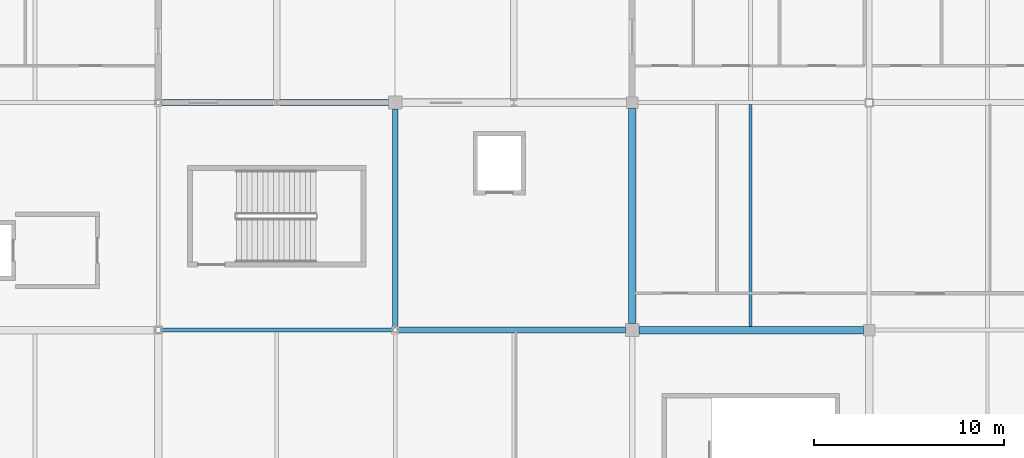
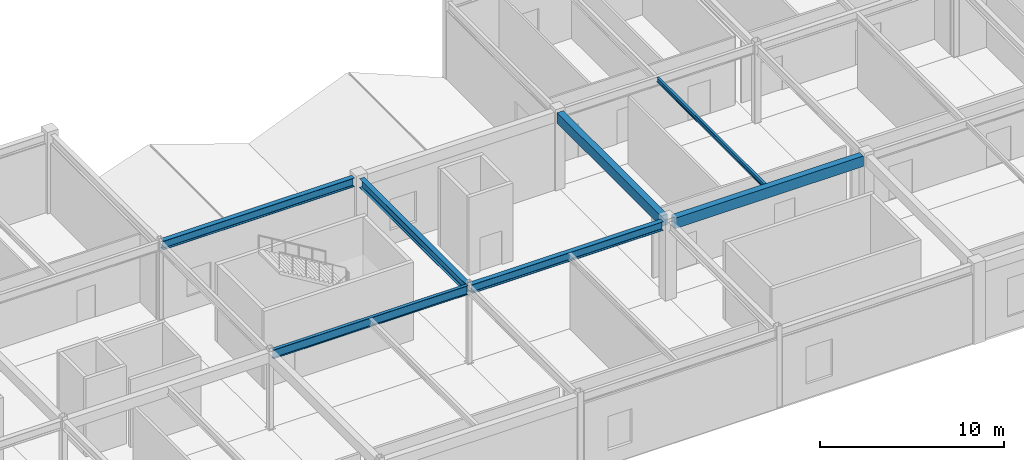
# One storey, part 55 of 105: 7 beams.
"""IFC4 building model written with IfcOpenShell, lengths in metres."""

from ifc_helpers import new_model, si_unit, direction, frame, origin, origin_2d, place, context, subcontext, project, spatial, rectangle, i_section, extrude, material, material_profile, profile_set, type_object, element, save


model = new_model("IFC4")

# Units and contexts
model_context = context("Model", 3, precision=1e-05, world=origin(), true_north=direction((0.0, 1.0)))
body_context = subcontext(model_context, "Body", "Model", "MODEL_VIEW")
ifc_project = project(units=[si_unit("LENGTHUNIT", "METRE"), si_unit("AREAUNIT", "SQUARE_METRE"), si_unit("VOLUMEUNIT", "CUBIC_METRE"), si_unit("PLANEANGLEUNIT", "RADIAN"), si_unit("MASSUNIT", "GRAM", prefix="KILO")], contexts=[model_context])

# Site, building, storey
site_placement = place(None, origin())
site = spatial("IfcSite", under=ifc_project, at=site_placement, CompositionType="ELEMENT")
building_placement = place(site_placement, origin())
building = spatial("IfcBuilding", under=site, at=building_placement, Name="Kazenohara Klinker Stadium", CompositionType="ELEMENT")
storey_placement = place(building_placement, frame((0.0, 0.0, 20.39990234375)))
storey = spatial("IfcBuildingStorey", under=building, at=storey_placement, Name="L04", CompositionType="ELEMENT", Elevation=20.39990234375)

# Beams
ifc_material_1 = material(Name="Steel S355", Category="steel")
ifc_material_profile_1 = material_profile(ifc_material_1, i_section(OverallWidth=0.14990234375, OverallDepth=0.300048828125, WebThickness=0.006591796875, FlangeThickness=0.009033203125, FilletRadius=0.012939453125, at=origin_2d()), Name="H-300x150x6.5x9")
ifc_profile_set_1 = profile_set([ifc_material_profile_1], Name="Steel S355")
beam_type_1 = type_object("IfcBeamType", Name="BM-JST05", PredefinedType="JOIST", material=ifc_profile_set_1)
beam_1_placement = place(storey_placement, frame((156.25, 144.199951171875, 5.030029296875), z_axis=(0.0, 1.0, 0.0), x_axis=(-1.0, 0.0, 0.0)))
element("IfcBeam", 1, at=beam_1_placement, inside=storey, type_object=beam_type_1, Name="Secondary floor joist SJ05 L04 13/N", PredefinedType="JOIST", context=body_context, shape_type="SweptSolid", body=[
    extrude(i_section(OverallWidth=0.14990234375, OverallDepth=0.300048828125, WebThickness=0.006591796875, FlangeThickness=0.009033203125, FilletRadius=0.012939453125, at=origin_2d()), origin(), (0.0, 0.0, 1.0), 11.699951171875),
])
ifc_material_2 = material(Name="Concrete C40/50", Category="concrete")
ifc_material_profile_2 = material_profile(ifc_material_2, rectangle(XDim=0.39990234375, YDim=0.699951171875, at=origin_2d()), Name="RC-BM-400x700")
ifc_profile_set_2 = profile_set([ifc_material_profile_2], Name="Concrete C40/50")
beam_type_2 = type_object("IfcBeamType", Name="BM-RC04", PredefinedType="BEAM", material=ifc_profile_set_2)
beam_2_placement = place(storey_placement, frame((150.35009765625, 144.0, 4.830078125), z_axis=(1.0, 0.0, 0.0), x_axis=(0.0, 1.0, 0.0)))
element("IfcBeam", 2, at=beam_2_placement, inside=storey, type_object=beam_type_2, Name="Primary girder BG04 L04 13-14/N", PredefinedType="BEAM", context=body_context, shape_type="SweptSolid", body=[
    extrude(rectangle(XDim=0.39990234375, YDim=0.699951171875, at=origin_2d()), origin(), (0.0, 0.0, 1.0), 11.849853515625),
])
beam_3_placement = place(storey_placement, frame((150.0, 144.35009765625, 4.830078125), z_axis=(0.0, 1.0, 0.0), x_axis=(-1.0, 0.0, 0.0)))
element("IfcBeam", 3, at=beam_3_placement, inside=storey, type_object=beam_type_2, Name="Primary girder BG04 L04 13/N-P", PredefinedType="BEAM", context=body_context, shape_type="SweptSolid", body=[
    extrude(rectangle(XDim=0.39990234375, YDim=0.699951171875, at=origin_2d()), origin(), (0.0, 0.0, 1.0), 11.349853515625),
])
ifc_material_profile_3 = material_profile(ifc_material_1, i_section(OverallWidth=0.199951171875, OverallDepth=0.60009765625, WebThickness=0.010986328125, FlangeThickness=0.01708984375, FilletRadius=0.012939453125, at=origin_2d()), Name="H-600x200x11x17")
ifc_profile_set_3 = profile_set([ifc_material_profile_3], Name="Steel S355")
beam_type_3 = type_object("IfcBeamType", Name="BM-ST04", PredefinedType="BEAM", material=ifc_profile_set_3)
beam_4_placement = place(storey_placement, frame((125.14990234375, 144.0, 4.880126953125), z_axis=(1.0, 0.0, 0.0), x_axis=(0.0, 1.0, 0.0)))
element("IfcBeam", 4, at=beam_4_placement, inside=storey, type_object=beam_type_3, Name="Primary girder SB04 L04 11-12/N", PredefinedType="BEAM", context=body_context, shape_type="SweptSolid", body=[
    extrude(i_section(OverallWidth=0.199951171875, OverallDepth=0.60009765625, WebThickness=0.010986328125, FlangeThickness=0.01708984375, FilletRadius=0.012939453125, at=origin_2d()), origin(), (0.0, 0.0, 1.0), 12.22509765625),
])
ifc_material_profile_4 = material_profile(ifc_material_1, i_section(OverallWidth=0.300048828125, OverallDepth=0.587890625, WebThickness=0.011962890625, FlangeThickness=0.02001953125, FilletRadius=0.02197265625, at=origin_2d()), Name="H-588x300x12x20")
ifc_profile_set_4 = profile_set([ifc_material_profile_4], Name="Steel S355")
beam_type_4 = type_object("IfcBeamType", Name="BM-ST05", PredefinedType="BEAM", material=ifc_profile_set_4)
for number, where, z_axis, x_axis, name in (
    (5, (125.125, 156.0, 4.885986328125), (1.0, 0.0, 0.0), (0.0, 1.0, 0.0), "Primary girder SB05 L04 11-12/P"),
    (6, (137.625, 144.0, 4.885986328125), (1.0, 0.0, 0.0), (0.0, 1.0, 0.0), "Primary girder SB05 L04 12-13/N"),
):
    element("IfcBeam", number, at=place(storey_placement, frame(where, z_axis=z_axis, x_axis=x_axis)), inside=storey, type_object=beam_type_4, Name=name, PredefinedType="BEAM", context=body_context, shape_type="SweptSolid", body=[
        extrude(i_section(OverallWidth=0.300048828125, OverallDepth=0.587890625, WebThickness=0.011962890625, FlangeThickness=0.02001953125, FilletRadius=0.02197265625, at=origin_2d()), origin(), (0.0, 0.0, 1.0), 12.02490234375),
    ])
beam_5_placement = place(storey_placement, frame((137.5, 144.125, 4.885986328125), z_axis=(0.0, 1.0, 0.0), x_axis=(-1.0, 0.0, 0.0)))
element("IfcBeam", 7, at=beam_5_placement, inside=storey, type_object=beam_type_4, Name="Primary girder SB05 L04 12/N-P", PredefinedType="BEAM", context=body_context, shape_type="SweptSolid", body=[
    extrude(i_section(OverallWidth=0.300048828125, OverallDepth=0.587890625, WebThickness=0.011962890625, FlangeThickness=0.02001953125, FilletRadius=0.02197265625, at=origin_2d()), origin(), (0.0, 0.0, 1.0), 11.52490234375),
])

save(model, "model.ifc")
